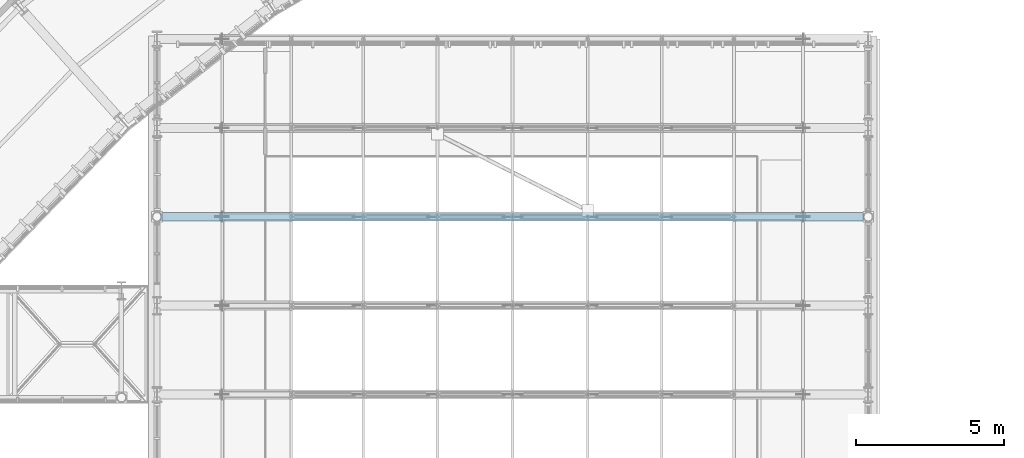
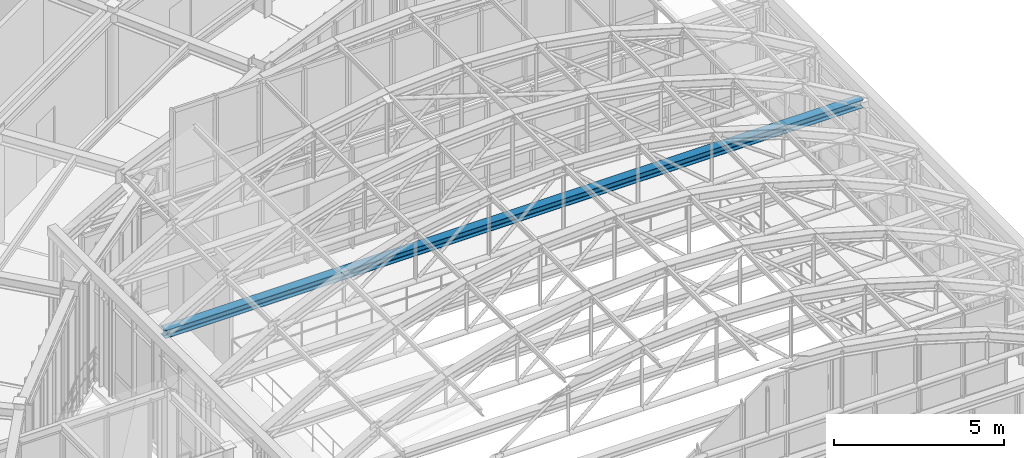
# One storey, part 67 of 148: 1 beam.
"""IFC4 building model written with IfcOpenShell, lengths in metres."""

from ifc_helpers import new_model, si_unit, direction, frame, origin, origin_2d, place, context, subcontext, project, spatial, i_section, extrude, material, material_profile, profile_set, type_object, element, save


model = new_model("IFC4")

# Units and contexts
model_context = context("Model", 3, precision=1e-05, world=origin(), true_north=direction((0.0, 1.0)))
body_context = subcontext(model_context, "Body", "Model", "MODEL_VIEW")
ifc_project = project(units=[si_unit("LENGTHUNIT", "METRE"), si_unit("AREAUNIT", "SQUARE_METRE"), si_unit("VOLUMEUNIT", "CUBIC_METRE"), si_unit("PLANEANGLEUNIT", "RADIAN"), si_unit("MASSUNIT", "GRAM", prefix="KILO"), si_unit("THERMODYNAMICTEMPERATUREUNIT", "KELVIN"), si_unit("POWERUNIT", "WATT")], contexts=[model_context])

# Site, building, storey
site_placement = place(None, origin())
site = spatial("IfcSite", under=ifc_project, at=site_placement, CompositionType="ELEMENT")
building_placement = place(site_placement, origin())
building = spatial("IfcBuilding", under=site, at=building_placement, Name="Solvatero Civic Police Headquarters", CompositionType="ELEMENT")
storey_placement = place(building_placement, frame((0.0, 0.0, 5.10009765625)))
storey = spatial("IfcBuildingStorey", under=building, at=storey_placement, Name="L01", CompositionType="ELEMENT", Elevation=5.10009765625)

# Beam
ifc_material = material(Name="Steel S355", Category="steel")
ifc_material_profile = material_profile(ifc_material, i_section(OverallWidth=0.300048828125, OverallDepth=0.2900390625, WebThickness=0.008544921875, FlangeThickness=0.013916015625, FilletRadius=0.027099609375, at=origin_2d()), Name="HEA 300")
ifc_profile_set = profile_set([ifc_material_profile], Name="Steel S355")
beam_type = type_object("IfcBeamType", Name="BM-ST-HEA300", PredefinedType="SPANDREL", material=ifc_profile_set)
beam_placement = place(storey_placement, frame((64.919921875, 56.5, 3.864013671875), z_axis=(1.0, 0.0, 0.0), x_axis=(0.0, 1.0, 0.0)))
element("IfcBeam", 1, at=beam_placement, inside=storey, type_object=beam_type, Name="VLT2 Barrel Vault Springing Tie Beam F6", PredefinedType="SPANDREL", context=body_context, shape_type="SweptSolid", body=[
    extrude(i_section(OverallWidth=0.300048828125, OverallDepth=0.2900390625, WebThickness=0.008544921875, FlangeThickness=0.013916015625, FilletRadius=0.027099609375, at=origin_2d()), origin(), (0.0, 0.0, 1.0), 23.719970703125),
])

save(model, "model.ifc")
